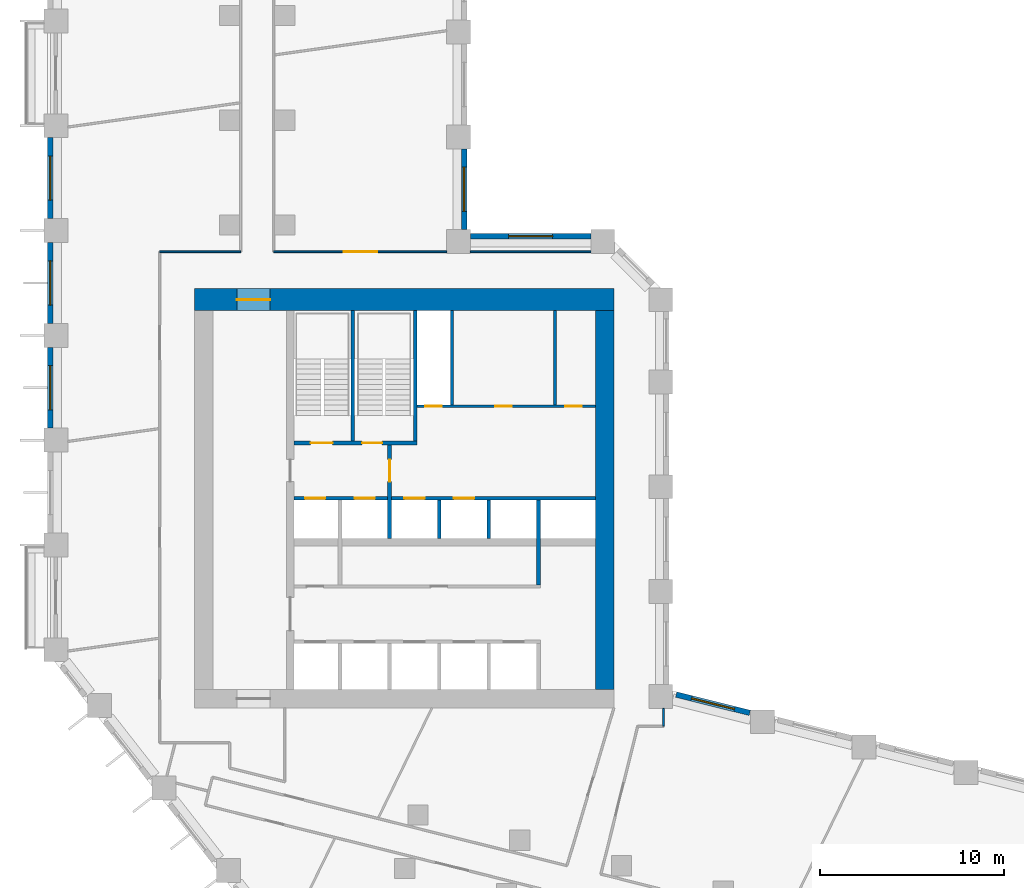
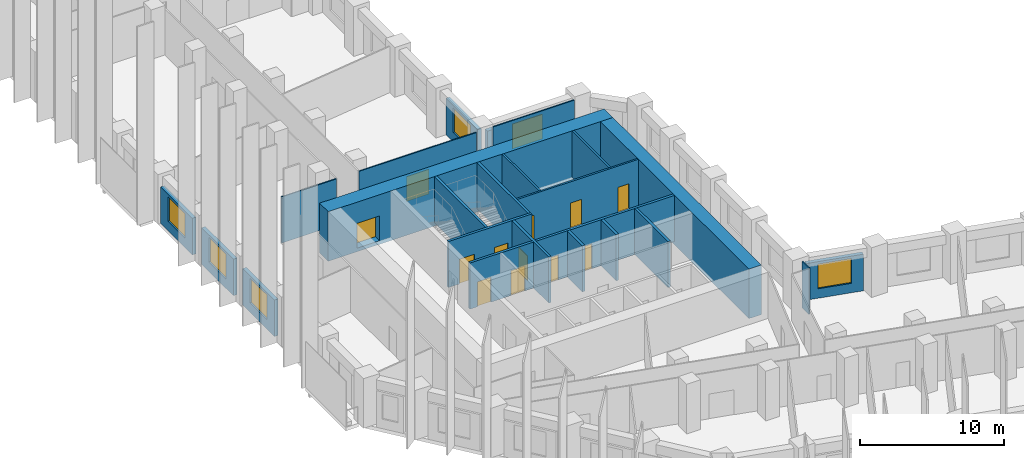
# One storey, part 5 of 11: 23 walls, 12 doors, 6 windows, 18 openings.
"""IFC4 building model written with IfcOpenShell, lengths in metres."""

from ifc_helpers import new_model, si_unit, direction, frame, frame_2d, origin, place, context, subcontext, project, spatial, rectangle, extrude, material, layer, layer_set, type_object, element, fill, save


model = new_model("IFC4")

# Units and contexts
model_context = context("Model", 3, precision=1e-05, world=origin(), true_north=direction((0.0, 1.0)))
body_context = subcontext(model_context, "Body", "Model", "MODEL_VIEW")
ifc_project = project(units=[si_unit("LENGTHUNIT", "METRE"), si_unit("AREAUNIT", "SQUARE_METRE"), si_unit("VOLUMEUNIT", "CUBIC_METRE"), si_unit("PLANEANGLEUNIT", "RADIAN"), si_unit("MASSUNIT", "GRAM", prefix="KILO")], contexts=[model_context])

# Site, building, storey
site_placement = place(None, origin())
site = spatial("IfcSite", under=ifc_project, at=site_placement, CompositionType="ELEMENT")
building_placement = place(site_placement, origin())
building = spatial("IfcBuilding", under=site, at=building_placement, Name="Meshkara Civic Tower", CompositionType="ELEMENT")
storey_placement = place(building_placement, frame((0.0, 0.0, 97.199951171875)))
storey = spatial("IfcBuildingStorey", under=building, at=storey_placement, Name="L21", CompositionType="ELEMENT", Elevation=97.199951171875)

# Wall, openings, doors
ifc_material_1 = material(Name="Blockwork", Category="masonry")
ifc_layer_1 = layer(ifc_material_1, 0.14990234375)
ifc_layer_set_1 = layer_set([ifc_layer_1], Name="Core partition 150")
wall_type_1 = type_object("IfcWallType", Name="Core partition 150", PredefinedType="PARTITIONING", material=ifc_layer_set_1)
wall_1_placement = place(storey_placement, frame((20.10009765625, 30.5, 0.0), z_axis=(0.0, 0.0, 1.0), x_axis=(1.0, 0.0, 0.0)))
wall_1 = element("IfcWall", 1, at=wall_1_placement, inside=storey, type_object=wall_type_1, Name="L21-C010", PredefinedType="PARTITIONING", context=body_context, shape_type="SweptSolid", body=[
    extrude(rectangle(XDim=9.699951171875, YDim=0.14990234375, at=frame_2d((4.85009765625, 0.0))), origin(), (0.0, 0.0, 1.0), 3.900146484375),
])
opening_1_placement = place(wall_1_placement, frame((0.449951171875, 0.0, 0.0)))
opening_1 = element("IfcOpeningElement", 2, at=opening_1_placement, cuts=wall_1, Name="Opening L21-K012", PredefinedType="OPENING", context=body_context, shape_type="SweptSolid", body=[
    extrude(rectangle(XDim=0.89990234375, YDim=2.10009765625, at=frame_2d((0.449951171875, 1.050048828125))), frame((0.0, 0.0849609375, 0.0), z_axis=(0.0, -1.0, 0.0), x_axis=(1.0, 0.0, 0.0)), (0.0, 0.0, 1.0), 0.169921875),
])
opening_2_placement = place(wall_1_placement, frame((4.25, 0.0, 0.0)))
opening_2 = element("IfcOpeningElement", 3, at=opening_2_placement, cuts=wall_1, Name="Opening L21-K013", PredefinedType="OPENING", context=body_context, shape_type="SweptSolid", body=[
    extrude(rectangle(XDim=0.89990234375, YDim=2.10009765625, at=frame_2d((0.449951171875, 1.050048828125))), frame((0.0, 0.0849609375, 0.0), z_axis=(0.0, -1.0, 0.0), x_axis=(1.0, 0.0, 0.0)), (0.0, 0.0, 1.0), 0.169921875),
])
opening_3_placement = place(wall_1_placement, frame((8.050048828125, 0.0, 0.0)))
opening_3 = element("IfcOpeningElement", 4, at=opening_3_placement, cuts=wall_1, Name="Opening L21-K014", PredefinedType="OPENING", context=body_context, shape_type="SweptSolid", body=[
    extrude(rectangle(XDim=0.89990234375, YDim=2.10009765625, at=frame_2d((0.449951171875, 1.050048828125))), frame((0.0, 0.0849609375, 0.0), z_axis=(0.0, -1.0, 0.0), x_axis=(1.0, 0.0, 0.0)), (0.0, 0.0, 1.0), 0.169921875),
])
ifc_material_2 = material(Name="Timber door leaf in steel frame", Category="steel")
door_type_1 = type_object("IfcDoorType", Name="Core room door 900", OperationType="SINGLE_SWING_LEFT", PredefinedType="DOOR", material=ifc_material_2)
door_1_placement = place(opening_2_placement, origin())
door_1 = element("IfcDoor", 5, at=door_1_placement, inside=storey, type_object=door_type_1, Name="L21-K013", OperationType="SINGLE_SWING_RIGHT", OverallHeight=2.10009765625, OverallWidth=0.89990234375, PredefinedType="DOOR", context=body_context, shape_type="SweptSolid", body=[
    extrude(rectangle(XDim=0.89990234375, YDim=2.10009765625, at=frame_2d((0.449951171875, 1.050048828125))), frame((0.0, 0.02490234375, 0.0), z_axis=(0.0, -1.0, 0.0), x_axis=(1.0, 0.0, 0.0)), (0.0, 0.0, 1.0), 0.050048828125),
])
fill(opening_2, door_1)
door_2_placement = place(opening_3_placement, origin())
door_2 = element("IfcDoor", 6, at=door_2_placement, inside=storey, type_object=door_type_1, Name="L21-K014", OperationType="SINGLE_SWING_RIGHT", OverallHeight=2.10009765625, OverallWidth=0.89990234375, PredefinedType="DOOR", context=body_context, shape_type="SweptSolid", body=[
    extrude(rectangle(XDim=0.89990234375, YDim=2.10009765625, at=frame_2d((0.449951171875, 1.050048828125))), frame((0.0, 0.02490234375, 0.0), z_axis=(0.0, -1.0, 0.0), x_axis=(1.0, 0.0, 0.0)), (0.0, 0.0, 1.0), 0.050048828125),
])
fill(opening_3, door_2)
ifc_material_3 = material(Name="Fire-rated door leaf in steel frame", Category="steel")
door_type_2 = type_object("IfcDoorType", Name="Riser door 900", OperationType="SINGLE_SWING_LEFT", PredefinedType="DOOR", material=ifc_material_3)
door_3_placement = place(opening_1_placement, origin())
door_3 = element("IfcDoor", 7, at=door_3_placement, inside=storey, type_object=door_type_2, Name="L21-K012", OperationType="SINGLE_SWING_RIGHT", OverallHeight=2.10009765625, OverallWidth=0.89990234375, PredefinedType="DOOR", context=body_context, shape_type="SweptSolid", body=[
    extrude(rectangle(XDim=0.89990234375, YDim=2.10009765625, at=frame_2d((0.449951171875, 1.050048828125))), frame((0.0, 0.02490234375, 0.0), z_axis=(0.0, -1.0, 0.0), x_axis=(1.0, 0.0, 0.0)), (0.0, 0.0, 1.0), 0.050048828125),
])
fill(opening_1, door_3)

# Walls
for number, where, z_axis, x_axis, name in (
    (8, (22.0, 30.574951171875, 0.0), (0.0, 0.0, 1.0), (0.0, 1.0, 0.0), "L21-C020"),
    (9, (27.60009765625, 30.574951171875, 0.0), (0.0, 0.0, 1.0), (0.0, 1.0, 0.0), "L21-C025"),
):
    element("IfcWall", number, at=place(storey_placement, frame(where, z_axis=z_axis, x_axis=x_axis)), inside=storey, type_object=wall_type_1, Name=name, PredefinedType="PARTITIONING", context=body_context, shape_type="SweptSolid", body=[
        extrude(rectangle(XDim=5.125, YDim=0.14990234375, at=frame_2d((2.5625, 0.0))), origin(), (0.0, 0.0, 1.0), 3.900146484375),
    ])
ifc_material_4 = material(Name="Concrete C70", Category="concrete")
ifc_layer_2 = layer(ifc_material_4, 1.0)
ifc_layer_set_2 = layer_set([ifc_layer_2], Name="Core ring wall 1000 C70")
wall_type_2 = type_object("IfcWallType", Name="Core ring wall 1000 C70", PredefinedType="SHEAR", material=ifc_layer_set_2)
wall_2_placement = place(storey_placement, frame((30.300048828125, 15.10009765625, -0.300048828125), z_axis=(0.0, 0.0, 1.0), x_axis=(0.0, 1.0, 0.0)))
element("IfcWall", 10, at=wall_2_placement, inside=storey, type_object=wall_type_2, Name="L21-C004", PredefinedType="SHEAR", context=body_context, shape_type="SweptSolid", body=[
    extrude(rectangle(XDim=20.599853515625, YDim=1.0, at=frame_2d((10.2998046875, 0.0))), origin(), (0.0, 0.0, 1.0), 4.2001953125),
])

# Wall, opening, door
ifc_material_5 = material(Name="Concrete C70", Category="concrete")
ifc_layer_3 = layer(ifc_material_5, 1.199951171875)
ifc_layer_set_3 = layer_set([ifc_layer_3], Name="Core ring wall 1200 C70")
wall_type_3 = type_object("IfcWallType", Name="Core ring wall 1200 C70", PredefinedType="SHEAR", material=ifc_layer_set_3)
wall_3_placement = place(storey_placement, frame((8.0, 36.300048828125, -0.300048828125), z_axis=(0.0, 0.0, 1.0), x_axis=(1.0, 0.0, 0.0)))
wall_3 = element("IfcWall", 11, at=wall_3_placement, inside=storey, type_object=wall_type_3, Name="L21-C002", PredefinedType="SHEAR", context=body_context, shape_type="SweptSolid", body=[
    extrude(rectangle(XDim=22.800048828125, YDim=1.199951171875, at=frame_2d((11.39990234375, 0.0))), origin(), (0.0, 0.0, 1.0), 4.2001953125),
])
opening_4_placement = place(wall_3_placement, frame((2.300048828125, 0.0, 0.300048828125)))
opening_4 = element("IfcOpeningElement", 12, at=opening_4_placement, cuts=wall_3, Name="Opening L21-K020", PredefinedType="OPENING", context=body_context, shape_type="SweptSolid", body=[
    extrude(rectangle(XDim=1.800048828125, YDim=2.10009765625, at=frame_2d((0.89990234375, 1.050048828125))), frame((0.0, 0.60986328125, 0.0), z_axis=(0.0, -1.0, 0.0), x_axis=(1.0, 0.0, 0.0)), (0.0, 0.0, 1.0), 1.219970703125),
])
ifc_material_6 = material(Name="Fire-rated door leaf in steel frame", Category="steel")
door_type_3 = type_object("IfcDoorType", Name="Core double door 1800 EI 60", OperationType="DOUBLE_DOOR_SINGLE_SWING", PredefinedType="DOOR", material=ifc_material_6)
door_4_placement = place(opening_4_placement, origin())
door_4 = element("IfcDoor", 13, at=door_4_placement, inside=storey, type_object=door_type_3, Name="L21-K020", OperationType="DOUBLE_DOOR_SINGLE_SWING", OverallHeight=2.10009765625, OverallWidth=1.800048828125, PredefinedType="DOOR", context=body_context, shape_type="SweptSolid", body=[
    extrude(rectangle(XDim=1.800048828125, YDim=2.10009765625, at=frame_2d((0.89990234375, 1.050048828125))), frame((0.0, 0.02490234375, 0.0), z_axis=(0.0, -1.0, 0.0), x_axis=(1.0, 0.0, 0.0)), (0.0, 0.0, 1.0), 0.050048828125),
])
fill(opening_4, door_4)

# Wall
ifc_material_7 = material(Name="Corridor wall 100")
ifc_layer_4 = layer(ifc_material_7, 0.10009765625)
ifc_layer_set_4 = layer_set([ifc_layer_4], Name="Corridor wall 100")
wall_type_4 = type_object("IfcWallType", Name="Corridor wall 100", PredefinedType="PARTITIONING", material=ifc_layer_set_4)
wall_4_placement = place(storey_placement, frame((10.5, 38.89990234375, 0.0), z_axis=(0.0, 0.0, 1.0), x_axis=(-1.0, 0.0, 0.0)))
element("IfcWall", 14, at=wall_4_placement, inside=storey, type_object=wall_type_4, Name="L21-W011", PredefinedType="PARTITIONING", context=body_context, shape_type="SweptSolid", body=[
    extrude(rectangle(XDim=4.39990234375, YDim=0.10009765625, at=frame_2d((2.199951171875, 0.0))), origin(), (0.0, 0.0, 1.0), 3.900146484375),
])

# Wall, opening, door
wall_5_placement = place(storey_placement, frame((21.699951171875, 38.89990234375, 0.0), z_axis=(0.0, 0.0, 1.0), x_axis=(-1.0, 0.0, 0.0)))
wall_5 = element("IfcWall", 15, at=wall_5_placement, inside=storey, type_object=wall_type_4, Name="L21-W018", PredefinedType="PARTITIONING", context=body_context, shape_type="SweptSolid", body=[
    extrude(rectangle(XDim=9.39990234375, YDim=0.10009765625, at=frame_2d((4.699951171875, 0.0))), origin(), (0.0, 0.0, 1.0), 3.900146484375),
])
opening_5_placement = place(wall_5_placement, frame((3.780029296875, 0.0, 0.0)))
opening_5 = element("IfcOpeningElement", 16, at=opening_5_placement, cuts=wall_5, Name="Opening L21-D021", PredefinedType="OPENING", context=body_context, shape_type="SweptSolid", body=[
    extrude(rectangle(XDim=1.800048828125, YDim=2.10009765625, at=frame_2d((0.89990234375, 1.050048828125))), frame((0.0, 0.06005859375, 0.0), z_axis=(0.0, -1.0, 0.0), x_axis=(1.0, 0.0, 0.0)), (0.0, 0.0, 1.0), 0.1201171875),
])
ifc_material_8 = material(Name="Door pair 1800 x 2100")
door_type_4 = type_object("IfcDoorType", Name="Door pair 1800 x 2100", OperationType="SINGLE_SWING_LEFT", PredefinedType="DOOR", material=ifc_material_8)
door_5_placement = place(opening_5_placement, origin())
door_5 = element("IfcDoor", 17, at=door_5_placement, inside=storey, type_object=door_type_4, Name="L21-D021", OperationType="DOUBLE_DOOR_SINGLE_SWING", OverallHeight=2.10009765625, OverallWidth=1.800048828125, PredefinedType="DOOR", context=body_context, shape_type="SweptSolid", body=[
    extrude(rectangle(XDim=1.800048828125, YDim=2.10009765625, at=frame_2d((0.89990234375, 1.050048828125))), frame((0.0, 0.02490234375, 0.0), z_axis=(0.0, -1.0, 0.0), x_axis=(1.0, 0.0, 0.0)), (0.0, 0.0, 1.0), 0.050048828125),
])
fill(opening_5, door_5)

# Walls
wall_6_placement = place(storey_placement, frame((29.5439453125, 38.89990234375, 0.0), z_axis=(0.0, 0.0, 1.0), x_axis=(-1.0, 0.0, 0.0)))
element("IfcWall", 18, at=wall_6_placement, inside=storey, type_object=wall_type_4, Name="L21-W019", PredefinedType="PARTITIONING", context=body_context, shape_type="SweptSolid", body=[
    extrude(rectangle(XDim=6.5439453125, YDim=0.10009765625, at=frame_2d((3.27197265625, 0.0))), origin(), (0.0, 0.0, 1.0), 3.900146484375),
])
wall_7_placement = place(storey_placement, frame((33.5, 13.10009765625, 0.0), z_axis=(0.0, 0.0, 1.0), x_axis=(0.0, 1.0, 0.0)))
element("IfcWall", 19, at=wall_7_placement, inside=storey, type_object=wall_type_4, Name="L21-W024", PredefinedType="PARTITIONING", context=body_context, shape_type="SweptSolid", body=[
    extrude(rectangle(XDim=0.968994140625, YDim=0.10009765625, at=frame_2d((0.484375, 0.0))), origin(), (0.0, 0.0, 1.0), 3.900146484375),
])

# Wall, opening, window
ifc_material_9 = material(Name="Insulated infill panel with bronze anodised aluminium cladding", Category="aluminium")
ifc_layer_5 = layer(ifc_material_9, 0.300048828125)
ifc_layer_set_5 = layer_set([ifc_layer_5], Name="EXTERNAL INFILL WALL 300")
wall_type_5 = type_object("IfcWallType", Name="EXTERNAL INFILL WALL 300", PredefinedType="SOLIDWALL", material=ifc_layer_set_5)
wall_8_placement = place(storey_placement, frame((38.18896484375, 13.822021484375, 0.0), z_axis=(0.0, 0.0, 1.0), x_axis=(-0.970281616392, 0.241978480223, 0.0)))
wall_8 = element("IfcWall", 20, at=wall_8_placement, inside=storey, type_object=wall_type_5, Name="External wall", PredefinedType="SOLIDWALL", context=body_context, shape_type="SweptSolid", body=[
    extrude(rectangle(XDim=4.12451171875, YDim=0.300048828125, at=frame_2d((2.062255859375, 0.0))), origin(), (0.0, 0.0, 1.0), 3.10009765625),
])
opening_6_placement = place(wall_8_placement, frame((0.862060546875, 0.0, 0.800048828125)))
opening_6 = element("IfcOpeningElement", 21, at=opening_6_placement, cuts=wall_8, Name="Opening W7", PredefinedType="OPENING", context=body_context, shape_type="SweptSolid", body=[
    extrude(rectangle(XDim=2.39990234375, YDim=2.10009765625, at=frame_2d((1.199951171875, 1.050048828125))), frame((0.0, 0.159912109375, 0.0), z_axis=(0.0, -1.0, 0.0), x_axis=(1.0, 0.0, 0.0)), (0.0, 0.0, 1.0), 0.320068359375),
])
ifc_material_10 = material(Name="Tinted double glazing", Category="glass")
window_type = type_object("IfcWindowType", Name="WINDOW 2400x2100", PartitioningType="DOUBLE_PANEL_VERTICAL", PredefinedType="WINDOW", material=ifc_material_10)
window_1_placement = place(opening_6_placement, origin())
window_1 = element("IfcWindow", 22, at=window_1_placement, inside=storey, type_object=window_type, Name="Window", OverallHeight=2.10009765625, OverallWidth=2.39990234375, PartitioningType="DOUBLE_PANEL_VERTICAL", PredefinedType="WINDOW", context=body_context, shape_type="SweptSolid", body=[
    extrude(rectangle(XDim=2.39990234375, YDim=2.10009765625, at=frame_2d((1.199951171875, 1.050048828125))), frame((0.0, 0.030029296875, 0.0), z_axis=(0.0, -1.0, 0.0), x_axis=(1.0, 0.0, 0.0)), (0.0, 0.0, 1.0), 0.06005859375),
])
fill(opening_6, window_1)

wall_9_placement = place(storey_placement, frame((29.5439453125, 39.75, 0.0), z_axis=(0.0, 0.0, 1.0), x_axis=(-1.0, 0.0, 0.0)))
wall_9 = element("IfcWall", 23, at=wall_9_placement, inside=storey, type_object=wall_type_5, Name="External wall", PredefinedType="SOLIDWALL", context=body_context, shape_type="SweptSolid", body=[
    extrude(rectangle(XDim=6.5439453125, YDim=0.300048828125, at=frame_2d((3.27197265625, 0.0))), origin(), (0.0, 0.0, 1.0), 3.10009765625),
])
opening_7_placement = place(wall_9_placement, frame((2.072021484375, 0.0, 0.800048828125)))
opening_7 = element("IfcOpeningElement", 24, at=opening_7_placement, cuts=wall_9, Name="Opening W7", PredefinedType="OPENING", context=body_context, shape_type="SweptSolid", body=[
    extrude(rectangle(XDim=2.39990234375, YDim=2.10009765625, at=frame_2d((1.199951171875, 1.050048828125))), frame((0.0, 0.159912109375, 0.0), z_axis=(0.0, -1.0, 0.0), x_axis=(1.0, 0.0, 0.0)), (0.0, 0.0, 1.0), 0.320068359375),
])
window_2_placement = place(opening_7_placement, origin())
window_2 = element("IfcWindow", 25, at=window_2_placement, inside=storey, type_object=window_type, Name="Window", OverallHeight=2.10009765625, OverallWidth=2.39990234375, PartitioningType="DOUBLE_PANEL_VERTICAL", PredefinedType="WINDOW", context=body_context, shape_type="SweptSolid", body=[
    extrude(rectangle(XDim=2.39990234375, YDim=2.10009765625, at=frame_2d((1.199951171875, 1.050048828125))), frame((0.0, 0.030029296875, 0.0), z_axis=(0.0, -1.0, 0.0), x_axis=(1.0, 0.0, 0.0)), (0.0, 0.0, 1.0), 0.06005859375),
])
fill(opening_7, window_2)

wall_10_placement = place(storey_placement, frame((22.64990234375, 40.10009765625, 0.0), z_axis=(0.0, 0.0, 1.0), x_axis=(0.0, 1.0, 0.0)))
wall_10 = element("IfcWall", 26, at=wall_10_placement, inside=storey, type_object=wall_type_5, Name="External wall", PredefinedType="SOLIDWALL", context=body_context, shape_type="SweptSolid", body=[
    extrude(rectangle(XDim=4.39990234375, YDim=0.300048828125, at=frame_2d((2.199951171875, 0.0))), origin(), (0.0, 0.0, 1.0), 3.10009765625),
])
opening_8_placement = place(wall_10_placement, frame((1.0, 0.0, 0.800048828125)))
opening_8 = element("IfcOpeningElement", 27, at=opening_8_placement, cuts=wall_10, Name="Opening W7", PredefinedType="OPENING", context=body_context, shape_type="SweptSolid", body=[
    extrude(rectangle(XDim=2.39990234375, YDim=2.10009765625, at=frame_2d((1.199951171875, 1.050048828125))), frame((0.0, 0.159912109375, 0.0), z_axis=(0.0, -1.0, 0.0), x_axis=(1.0, 0.0, 0.0)), (0.0, 0.0, 1.0), 0.320068359375),
])
window_3_placement = place(opening_8_placement, origin())
window_3 = element("IfcWindow", 28, at=window_3_placement, inside=storey, type_object=window_type, Name="Window", OverallHeight=2.10009765625, OverallWidth=2.39990234375, PartitioningType="DOUBLE_PANEL_VERTICAL", PredefinedType="WINDOW", context=body_context, shape_type="SweptSolid", body=[
    extrude(rectangle(XDim=2.39990234375, YDim=2.10009765625, at=frame_2d((1.199951171875, 1.050048828125))), frame((0.0, 0.030029296875, 0.0), z_axis=(0.0, -1.0, 0.0), x_axis=(1.0, 0.0, 0.0)), (0.0, 0.0, 1.0), 0.06005859375),
])
fill(opening_8, window_3)

wall_11_placement = place(storey_placement, frame((0.14990234375, 45.10498046875, 0.0), z_axis=(0.0, 0.0, 1.0), x_axis=(0.0, -1.0, 0.0)))
wall_11 = element("IfcWall", 29, at=wall_11_placement, inside=storey, type_object=wall_type_5, Name="External wall", PredefinedType="SOLIDWALL", context=body_context, shape_type="SweptSolid", body=[
    extrude(rectangle(XDim=4.39990234375, YDim=0.300048828125, at=frame_2d((2.199951171875, 0.0))), origin(), (0.0, 0.0, 1.0), 3.10009765625),
])
opening_9_placement = place(wall_11_placement, frame((1.0, 0.0, 0.800048828125)))
opening_9 = element("IfcOpeningElement", 30, at=opening_9_placement, cuts=wall_11, Name="Opening W7", PredefinedType="OPENING", context=body_context, shape_type="SweptSolid", body=[
    extrude(rectangle(XDim=2.39990234375, YDim=2.10009765625, at=frame_2d((1.199951171875, 1.050048828125))), frame((0.0, 0.159912109375, 0.0), z_axis=(0.0, -1.0, 0.0), x_axis=(1.0, 0.0, 0.0)), (0.0, 0.0, 1.0), 0.320068359375),
])
window_4_placement = place(opening_9_placement, origin())
window_4 = element("IfcWindow", 31, at=window_4_placement, inside=storey, type_object=window_type, Name="Window", OverallHeight=2.10009765625, OverallWidth=2.39990234375, PartitioningType="DOUBLE_PANEL_VERTICAL", PredefinedType="WINDOW", context=body_context, shape_type="SweptSolid", body=[
    extrude(rectangle(XDim=2.39990234375, YDim=2.10009765625, at=frame_2d((1.199951171875, 1.050048828125))), frame((0.0, 0.030029296875, 0.0), z_axis=(0.0, -1.0, 0.0), x_axis=(1.0, 0.0, 0.0)), (0.0, 0.0, 1.0), 0.06005859375),
])
fill(opening_9, window_4)

wall_12_placement = place(storey_placement, frame((0.14990234375, 39.405029296875, 0.0), z_axis=(0.0, 0.0, 1.0), x_axis=(0.0, -1.0, 0.0)))
wall_12 = element("IfcWall", 32, at=wall_12_placement, inside=storey, type_object=wall_type_5, Name="External wall", PredefinedType="SOLIDWALL", context=body_context, shape_type="SweptSolid", body=[
    extrude(rectangle(XDim=4.400146484375, YDim=0.300048828125, at=frame_2d((2.2001953125, 0.0))), origin(), (0.0, 0.0, 1.0), 3.10009765625),
])
opening_10_placement = place(wall_12_placement, frame((1.0, 0.0, 0.800048828125)))
opening_10 = element("IfcOpeningElement", 33, at=opening_10_placement, cuts=wall_12, Name="Opening W7", PredefinedType="OPENING", context=body_context, shape_type="SweptSolid", body=[
    extrude(rectangle(XDim=2.39990234375, YDim=2.10009765625, at=frame_2d((1.199951171875, 1.050048828125))), frame((0.0, 0.159912109375, 0.0), z_axis=(0.0, -1.0, 0.0), x_axis=(1.0, 0.0, 0.0)), (0.0, 0.0, 1.0), 0.320068359375),
])
window_5_placement = place(opening_10_placement, origin())
window_5 = element("IfcWindow", 34, at=window_5_placement, inside=storey, type_object=window_type, Name="Window", OverallHeight=2.10009765625, OverallWidth=2.39990234375, PartitioningType="DOUBLE_PANEL_VERTICAL", PredefinedType="WINDOW", context=body_context, shape_type="SweptSolid", body=[
    extrude(rectangle(XDim=2.39990234375, YDim=2.10009765625, at=frame_2d((1.199951171875, 1.050048828125))), frame((0.0, 0.030029296875, 0.0), z_axis=(0.0, -1.0, 0.0), x_axis=(1.0, 0.0, 0.0)), (0.0, 0.0, 1.0), 0.06005859375),
])
fill(opening_10, window_5)

wall_13_placement = place(storey_placement, frame((0.14990234375, 33.705078125, 0.0), z_axis=(0.0, 0.0, 1.0), x_axis=(0.0, -1.0, 0.0)))
wall_13 = element("IfcWall", 35, at=wall_13_placement, inside=storey, type_object=wall_type_5, Name="External wall", PredefinedType="SOLIDWALL", context=body_context, shape_type="SweptSolid", body=[
    extrude(rectangle(XDim=4.400146484375, YDim=0.300048828125, at=frame_2d((2.2001953125, 0.0))), origin(), (0.0, 0.0, 1.0), 3.10009765625),
])
opening_11_placement = place(wall_13_placement, frame((1.0, 0.0, 0.800048828125)))
opening_11 = element("IfcOpeningElement", 36, at=opening_11_placement, cuts=wall_13, Name="Opening W7", PredefinedType="OPENING", context=body_context, shape_type="SweptSolid", body=[
    extrude(rectangle(XDim=2.39990234375, YDim=2.10009765625, at=frame_2d((1.199951171875, 1.050048828125))), frame((0.0, 0.159912109375, 0.0), z_axis=(0.0, -1.0, 0.0), x_axis=(1.0, 0.0, 0.0)), (0.0, 0.0, 1.0), 0.320068359375),
])
window_6_placement = place(opening_11_placement, origin())
window_6 = element("IfcWindow", 37, at=window_6_placement, inside=storey, type_object=window_type, Name="Window", OverallHeight=2.10009765625, OverallWidth=2.39990234375, PartitioningType="DOUBLE_PANEL_VERTICAL", PredefinedType="WINDOW", context=body_context, shape_type="SweptSolid", body=[
    extrude(rectangle(XDim=2.39990234375, YDim=2.10009765625, at=frame_2d((1.199951171875, 1.050048828125))), frame((0.0, 0.030029296875, 0.0), z_axis=(0.0, -1.0, 0.0), x_axis=(1.0, 0.0, 0.0)), (0.0, 0.0, 1.0), 0.06005859375),
])
fill(opening_11, window_6)

# Wall, openings, doors
ifc_material_11 = material(Name="Concrete C40/50", Category="concrete")
ifc_layer_6 = layer(ifc_material_11, 0.199951171875)
ifc_layer_set_6 = layer_set([ifc_layer_6], Name="Shaft wall 200 C40/50")
wall_type_6 = type_object("IfcWallType", Name="Shaft wall 200 C40/50", PredefinedType="SOLIDWALL", material=ifc_layer_set_6)
wall_14_placement = place(storey_placement, frame((13.39990234375, 25.5, 0.0), z_axis=(0.0, 0.0, 1.0), x_axis=(1.0, 0.0, 0.0)))
wall_14 = element("IfcWall", 38, at=wall_14_placement, inside=storey, type_object=wall_type_6, Name="L21-C008", PredefinedType="SOLIDWALL", context=body_context, shape_type="SweptSolid", body=[
    extrude(rectangle(XDim=16.400146484375, YDim=0.199951171875, at=frame_2d((8.2001953125, 0.0))), origin(), (0.0, 0.0, 1.0), 3.900146484375),
])
opening_12_placement = place(wall_14_placement, frame((0.60009765625, 0.0, 0.0)))
opening_12 = element("IfcOpeningElement", 39, at=opening_12_placement, cuts=wall_14, Name="Opening L21-K006", PredefinedType="OPENING", context=body_context, shape_type="SweptSolid", body=[
    extrude(rectangle(XDim=1.10009765625, YDim=2.10009765625, at=frame_2d((0.550048828125, 1.050048828125))), frame((0.0, 0.10986328125, 0.0), z_axis=(0.0, -1.0, 0.0), x_axis=(1.0, 0.0, 0.0)), (0.0, 0.0, 1.0), 0.219970703125),
])
opening_13_placement = place(wall_14_placement, frame((3.300048828125, 0.0, 0.0)))
opening_13 = element("IfcOpeningElement", 40, at=opening_13_placement, cuts=wall_14, Name="Opening L21-K007", PredefinedType="OPENING", context=body_context, shape_type="SweptSolid", body=[
    extrude(rectangle(XDim=1.10009765625, YDim=2.10009765625, at=frame_2d((0.550048828125, 1.050048828125))), frame((0.0, 0.10986328125, 0.0), z_axis=(0.0, -1.0, 0.0), x_axis=(1.0, 0.0, 0.0)), (0.0, 0.0, 1.0), 0.219970703125),
])
opening_14_placement = place(wall_14_placement, frame((6.0, 0.0, 0.0)))
opening_14 = element("IfcOpeningElement", 41, at=opening_14_placement, cuts=wall_14, Name="Opening L21-K008", PredefinedType="OPENING", context=body_context, shape_type="SweptSolid", body=[
    extrude(rectangle(XDim=1.10009765625, YDim=2.10009765625, at=frame_2d((0.550048828125, 1.050048828125))), frame((0.0, 0.10986328125, 0.0), z_axis=(0.0, -1.0, 0.0), x_axis=(1.0, 0.0, 0.0)), (0.0, 0.0, 1.0), 0.219970703125),
])
opening_15_placement = place(wall_14_placement, frame((8.699951171875, 0.0, 0.0)))
opening_15 = element("IfcOpeningElement", 42, at=opening_15_placement, cuts=wall_14, Name="Opening L21-K009", PredefinedType="OPENING", context=body_context, shape_type="SweptSolid", body=[
    extrude(rectangle(XDim=1.10009765625, YDim=2.10009765625, at=frame_2d((0.550048828125, 1.050048828125))), frame((0.0, 0.10986328125, 0.0), z_axis=(0.0, -1.0, 0.0), x_axis=(1.0, 0.0, 0.0)), (0.0, 0.0, 1.0), 0.219970703125),
])
ifc_material_12 = material(Name="Stainless steel landing door", Category="steel")
door_type_5 = type_object("IfcDoorType", Name="Lift landing door 1100", OperationType="SLIDING_TO_LEFT", PredefinedType="DOOR", material=ifc_material_12)
door_6_placement = place(opening_12_placement, origin())
door_6 = element("IfcDoor", 43, at=door_6_placement, inside=storey, type_object=door_type_5, Name="L21-K006", OperationType="SLIDING_TO_LEFT", OverallHeight=2.10009765625, OverallWidth=1.10009765625, PredefinedType="DOOR", context=body_context, shape_type="SweptSolid", body=[
    extrude(rectangle(XDim=1.10009765625, YDim=2.10009765625, at=frame_2d((0.550048828125, 1.050048828125))), frame((0.0, 0.02490234375, 0.0), z_axis=(0.0, -1.0, 0.0), x_axis=(1.0, 0.0, 0.0)), (0.0, 0.0, 1.0), 0.050048828125),
])
fill(opening_12, door_6)
door_7_placement = place(opening_13_placement, origin())
door_7 = element("IfcDoor", 44, at=door_7_placement, inside=storey, type_object=door_type_5, Name="L21-K007", OperationType="SLIDING_TO_LEFT", OverallHeight=2.10009765625, OverallWidth=1.10009765625, PredefinedType="DOOR", context=body_context, shape_type="SweptSolid", body=[
    extrude(rectangle(XDim=1.10009765625, YDim=2.10009765625, at=frame_2d((0.550048828125, 1.050048828125))), frame((0.0, 0.02490234375, 0.0), z_axis=(0.0, -1.0, 0.0), x_axis=(1.0, 0.0, 0.0)), (0.0, 0.0, 1.0), 0.050048828125),
])
fill(opening_13, door_7)
door_8_placement = place(opening_14_placement, origin())
door_8 = element("IfcDoor", 45, at=door_8_placement, inside=storey, type_object=door_type_5, Name="L21-K008", OperationType="SLIDING_TO_LEFT", OverallHeight=2.10009765625, OverallWidth=1.10009765625, PredefinedType="DOOR", context=body_context, shape_type="SweptSolid", body=[
    extrude(rectangle(XDim=1.10009765625, YDim=2.10009765625, at=frame_2d((0.550048828125, 1.050048828125))), frame((0.0, 0.02490234375, 0.0), z_axis=(0.0, -1.0, 0.0), x_axis=(1.0, 0.0, 0.0)), (0.0, 0.0, 1.0), 0.050048828125),
])
fill(opening_14, door_8)
door_9_placement = place(opening_15_placement, origin())
door_9 = element("IfcDoor", 46, at=door_9_placement, inside=storey, type_object=door_type_5, Name="L21-K009", OperationType="SLIDING_TO_LEFT", OverallHeight=2.10009765625, OverallWidth=1.10009765625, PredefinedType="DOOR", context=body_context, shape_type="SweptSolid", body=[
    extrude(rectangle(XDim=1.10009765625, YDim=2.10009765625, at=frame_2d((0.550048828125, 1.050048828125))), frame((0.0, 0.02490234375, 0.0), z_axis=(0.0, -1.0, 0.0), x_axis=(1.0, 0.0, 0.0)), (0.0, 0.0, 1.0), 0.050048828125),
])
fill(opening_15, door_9)

# Wall, opening, door
wall_15_placement = place(storey_placement, frame((18.60009765625, 23.300048828125, 0.0), z_axis=(0.0, 0.0, 1.0), x_axis=(0.0, 1.0, 0.0)))
wall_15 = element("IfcWall", 47, at=wall_15_placement, inside=storey, type_object=wall_type_6, Name="L21-C016", PredefinedType="SOLIDWALL", context=body_context, shape_type="SweptSolid", body=[
    extrude(rectangle(XDim=5.099853515625, YDim=0.199951171875, at=frame_2d((2.5498046875, 0.0))), origin(), (0.0, 0.0, 1.0), 3.900146484375),
])
opening_16_placement = place(wall_15_placement, frame((3.10009765625, 0.0, 0.0)))
opening_16 = element("IfcOpeningElement", 48, at=opening_16_placement, cuts=wall_15, Name="Opening L21-K019", PredefinedType="OPENING", context=body_context, shape_type="SweptSolid", body=[
    extrude(rectangle(XDim=1.199951171875, YDim=2.10009765625, at=frame_2d((0.60009765625, 1.050048828125))), frame((0.0, 0.10986328125, 0.0), z_axis=(0.0, -1.0, 0.0), x_axis=(1.0, 0.0, 0.0)), (0.0, 0.0, 1.0), 0.219970703125),
])
ifc_material_13 = material(Name="Fire-rated door leaf in steel frame", Category="steel")
door_type_6 = type_object("IfcDoorType", Name="Fire-fighting lobby door 1200 EI 120", OperationType="SINGLE_SWING_LEFT", PredefinedType="DOOR", material=ifc_material_13)
door_10_placement = place(opening_16_placement, origin())
door_10 = element("IfcDoor", 49, at=door_10_placement, inside=storey, type_object=door_type_6, Name="L21-K019", OperationType="SINGLE_SWING_RIGHT", OverallHeight=2.10009765625, OverallWidth=1.199951171875, PredefinedType="DOOR", context=body_context, shape_type="SweptSolid", body=[
    extrude(rectangle(XDim=1.199951171875, YDim=2.10009765625, at=frame_2d((0.60009765625, 1.050048828125))), frame((0.0, 0.02490234375, 0.0), z_axis=(0.0, -1.0, 0.0), x_axis=(1.0, 0.0, 0.0)), (0.0, 0.0, 1.0), 0.050048828125),
])
fill(opening_16, door_10)

# Walls
for number, where, z_axis, x_axis, name in (
    (50, (21.300048828125, 23.300048828125, 0.0), (0.0, 0.0, 1.0), (0.0, 1.0, 0.0), "L21-C019"),
    (51, (24.0, 23.300048828125, 0.0), (0.0, 0.0, 1.0), (0.0, 1.0, 0.0), "L21-C022"),
):
    element("IfcWall", number, at=place(storey_placement, frame(where, z_axis=z_axis, x_axis=x_axis)), inside=storey, type_object=wall_type_6, Name=name, PredefinedType="SOLIDWALL", context=body_context, shape_type="SweptSolid", body=[
        extrude(rectangle(XDim=2.099853515625, YDim=0.199951171875, at=frame_2d((1.0498046875, 0.0))), origin(), (0.0, 0.0, 1.0), 3.900146484375),
    ])
wall_16_placement = place(storey_placement, frame((26.699951171875, 20.77490234375, 0.0), z_axis=(0.0, 0.0, 1.0), x_axis=(0.0, 1.0, 0.0)))
element("IfcWall", 52, at=wall_16_placement, inside=storey, type_object=wall_type_6, Name="L21-C024", PredefinedType="SOLIDWALL", context=body_context, shape_type="SweptSolid", body=[
    extrude(rectangle(XDim=4.625, YDim=0.199951171875, at=frame_2d((2.3125, 0.0))), origin(), (0.0, 0.0, 1.0), 3.900146484375),
])

# Wall, openings, doors
ifc_material_14 = material(Name="Concrete C40/50", Category="concrete")
ifc_layer_7 = layer(ifc_material_14, 0.199951171875)
ifc_layer_set_7 = layer_set([ifc_layer_7], Name="Stair enclosure wall 200 C40/50")
wall_type_7 = type_object("IfcWallType", Name="Stair enclosure wall 200 C40/50", PredefinedType="SOLIDWALL", material=ifc_layer_set_7)
wall_17_placement = place(storey_placement, frame((13.39990234375, 28.5, 0.0), z_axis=(0.0, 0.0, 1.0), x_axis=(1.0, 0.0, 0.0)))
wall_17 = element("IfcWall", 53, at=wall_17_placement, inside=storey, type_object=wall_type_7, Name="L21-C009", PredefinedType="SOLIDWALL", context=body_context, shape_type="SweptSolid", body=[
    extrude(rectangle(XDim=6.7001953125, YDim=0.199951171875, at=frame_2d((3.35009765625, 0.0))), origin(), (0.0, 0.0, 1.0), 3.900146484375),
])
opening_17_placement = place(wall_17_placement, frame((0.89990234375, 0.0, 0.0)))
opening_17 = element("IfcOpeningElement", 54, at=opening_17_placement, cuts=wall_17, Name="Opening L21-K015", PredefinedType="OPENING", context=body_context, shape_type="SweptSolid", body=[
    extrude(rectangle(XDim=1.199951171875, YDim=2.10009765625, at=frame_2d((0.60009765625, 1.050048828125))), frame((0.0, 0.10986328125, 0.0), z_axis=(0.0, -1.0, 0.0), x_axis=(1.0, 0.0, 0.0)), (0.0, 0.0, 1.0), 0.219970703125),
])
opening_18_placement = place(wall_17_placement, frame((3.699951171875, 0.0, 0.0)))
opening_18 = element("IfcOpeningElement", 55, at=opening_18_placement, cuts=wall_17, Name="Opening L21-K016", PredefinedType="OPENING", context=body_context, shape_type="SweptSolid", body=[
    extrude(rectangle(XDim=1.10009765625, YDim=2.10009765625, at=frame_2d((0.550048828125, 1.050048828125))), frame((0.0, 0.10986328125, 0.0), z_axis=(0.0, -1.0, 0.0), x_axis=(1.0, 0.0, 0.0)), (0.0, 0.0, 1.0), 0.219970703125),
])
ifc_material_15 = material(Name="Fire-rated door leaf in steel frame", Category="steel")
door_type_7 = type_object("IfcDoorType", Name="Stair door 1100 EI 120", OperationType="SINGLE_SWING_LEFT", PredefinedType="DOOR", material=ifc_material_15)
door_11_placement = place(opening_18_placement, origin())
door_11 = element("IfcDoor", 56, at=door_11_placement, inside=storey, type_object=door_type_7, Name="L21-K016", OperationType="SINGLE_SWING_LEFT", OverallHeight=2.10009765625, OverallWidth=1.10009765625, PredefinedType="DOOR", context=body_context, shape_type="SweptSolid", body=[
    extrude(rectangle(XDim=1.10009765625, YDim=2.10009765625, at=frame_2d((0.550048828125, 1.050048828125))), frame((0.0, 0.02490234375, 0.0), z_axis=(0.0, -1.0, 0.0), x_axis=(1.0, 0.0, 0.0)), (0.0, 0.0, 1.0), 0.050048828125),
])
fill(opening_18, door_11)
ifc_material_16 = material(Name="Fire-rated door leaf in steel frame", Category="steel")
door_type_8 = type_object("IfcDoorType", Name="Stair door 1200 EI 120", OperationType="SINGLE_SWING_LEFT", PredefinedType="DOOR", material=ifc_material_16)
door_12_placement = place(opening_17_placement, origin())
door_12 = element("IfcDoor", 57, at=door_12_placement, inside=storey, type_object=door_type_8, Name="L21-K015", OperationType="SINGLE_SWING_RIGHT", OverallHeight=2.10009765625, OverallWidth=1.199951171875, PredefinedType="DOOR", context=body_context, shape_type="SweptSolid", body=[
    extrude(rectangle(XDim=1.199951171875, YDim=2.10009765625, at=frame_2d((0.60009765625, 1.050048828125))), frame((0.0, 0.02490234375, 0.0), z_axis=(0.0, -1.0, 0.0), x_axis=(1.0, 0.0, 0.0)), (0.0, 0.0, 1.0), 0.050048828125),
])
fill(opening_17, door_12)

# Walls
for number, where, z_axis, x_axis, name in (
    (58, (16.60009765625, 28.60009765625, 0.0), (0.0, 0.0, 1.0), (0.0, 1.0, 0.0), "L21-C014"),
    (59, (20.0, 28.60009765625, 0.0), (0.0, 0.0, 1.0), (0.0, 1.0, 0.0), "L21-C017"),
):
    element("IfcWall", number, at=place(storey_placement, frame(where, z_axis=z_axis, x_axis=x_axis)), inside=storey, type_object=wall_type_7, Name=name, PredefinedType="SOLIDWALL", context=body_context, shape_type="SweptSolid", body=[
        extrude(rectangle(XDim=7.099853515625, YDim=0.199951171875, at=frame_2d((3.5498046875, 0.0))), origin(), (0.0, 0.0, 1.0), 3.900146484375),
    ])

save(model, "model.ifc")
